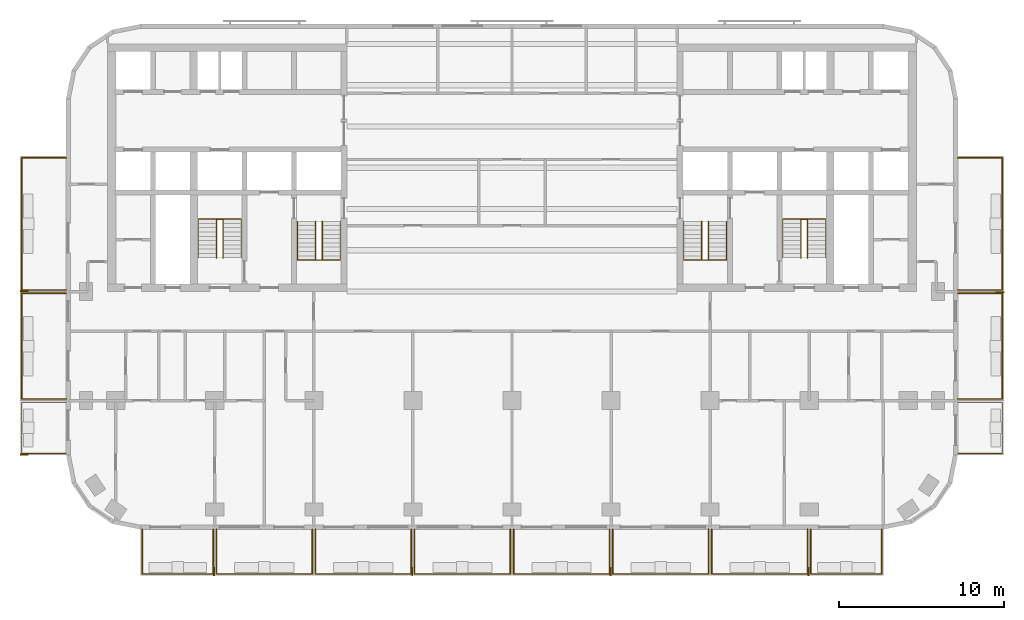
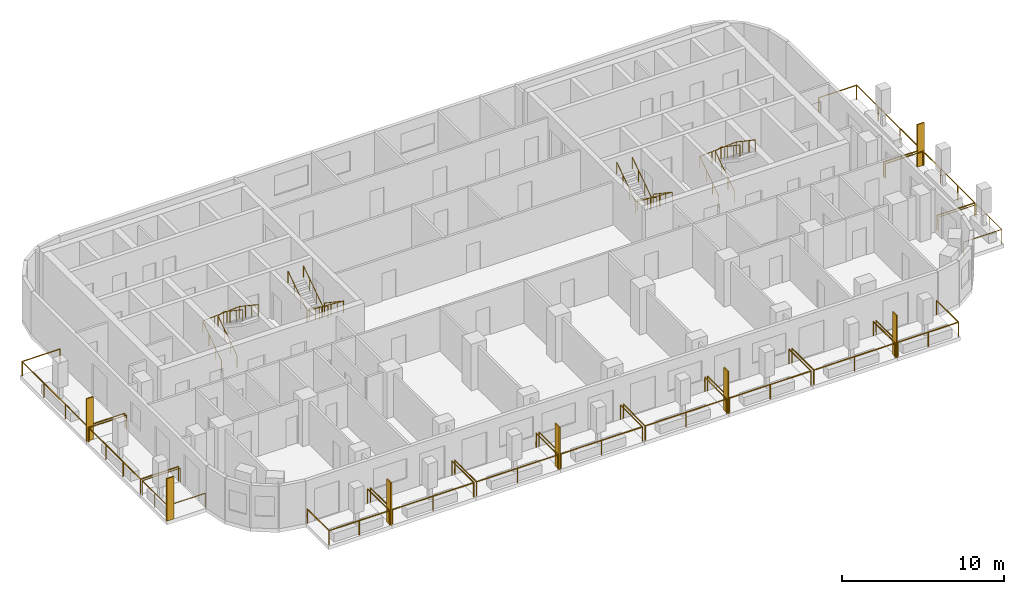
# One storey, part 9 of 11: 22 railings, 7 shading devices.
"""IFC4 building model written with IfcOpenShell, lengths in metres."""

from ifc_helpers import new_model, si_unit, direction, frame, origin, origin_2d, place, context, subcontext, project, spatial, rectangle, circle, extrude, material, layer, layer_set, type_object, element, save


model = new_model("IFC4")

# Units and contexts
model_context = context("Model", 3, precision=1e-05, world=origin(), true_north=direction((0.0, 1.0)))
body_context = subcontext(model_context, "Body", "Model", "MODEL_VIEW")
ifc_project = project(units=[si_unit("LENGTHUNIT", "METRE"), si_unit("AREAUNIT", "SQUARE_METRE"), si_unit("VOLUMEUNIT", "CUBIC_METRE"), si_unit("PLANEANGLEUNIT", "RADIAN"), si_unit("MASSUNIT", "GRAM", prefix="KILO")], contexts=[model_context])

# Site, building, storey
site_placement = place(None, origin())
site = spatial("IfcSite", under=ifc_project, at=site_placement, CompositionType="ELEMENT")
building_placement = place(site_placement, origin())
building = spatial("IfcBuilding", under=site, at=building_placement, Name="Torana Hotel and Residences", CompositionType="ELEMENT")
storey_placement = place(building_placement, frame((0.0, 0.0, 243.10009765625)))
storey = spatial("IfcBuildingStorey", under=building, at=storey_placement, Name="L64", CompositionType="ELEMENT", Elevation=243.10009765625)

# Shading devices
ifc_material_1 = material(Name="Black powder coated aluminium", Category="aluminium")
ifc_layer = layer(ifc_material_1, 0.080078125)
ifc_layer_set = layer_set([ifc_layer], Name="FN1 VERTICAL FIN 500x80")
shading_device_type = type_object("IfcShadingDeviceType", Name="FN1 VERTICAL FIN 500x80", PredefinedType="USERDEFINED", material=ifc_layer_set)
for number, where, z_axis, x_axis, name in (
    (1, (-18.0400390625, -31.949951171875, 0.0), (0.0, 0.0, 1.0), (-1.0, 0.0, 0.0), "Fin 01"),
    (2, (-6.0400390625, -31.949951171875, 0.0), (0.0, 0.0, 1.0), (-1.0, 0.0, 0.0), "Fin 03"),
    (3, (5.9599609375, -31.949951171875, 0.0), (0.0, 0.0, 1.0), (-1.0, 0.0, 0.0), "Fin 05"),
    (4, (17.9599609375, -31.949951171875, 0.0), (0.0, 0.0, 1.0), (-1.0, 0.0, 0.0), "Fin 07"),
    (5, (-29.550048828125, -24.860107421875, 0.0), (0.0, 0.0, 1.0), (0.0, 1.0, 0.0), "Fin 09"),
    (6, (-29.550048828125, -14.9599609375, 0.0), (0.0, 0.0, 1.0), (0.0, 1.0, 0.0), "Fin 11"),
    (7, (29.550048828125, -15.0400390625, 0.0), (0.0, 0.0, 1.0), (0.0, -1.0, 0.0), "Fin 13"),
):
    element("IfcShadingDevice", number, at=place(storey_placement, frame(where, z_axis=z_axis, x_axis=x_axis)), inside=storey, type_object=shading_device_type, Name=name, ObjectType="FIN", PredefinedType="USERDEFINED", context=body_context, shape_type="SweptSolid", body=[
        extrude(rectangle(XDim=0.080078125, YDim=0.5, at=origin_2d()), origin(), (0.0, 0.0, 1.0), 3.199951171875),
    ])

# Railings
ifc_material_2 = material(Name="Laminated glass balustrade with black handrail", Category="glass")
railing_type_1 = type_object("IfcRailingType", Name="GR1 BALCONY GUARD 1100 GLASS", PredefinedType="GUARDRAIL", material=ifc_material_2)
railing_1_placement = place(storey_placement, frame((-18.10009765625, -29.39990234375, 0.0)))
element("IfcRailing", 8, at=railing_1_placement, inside=storey, type_object=railing_type_1, Name="Balcony guard 01", PredefinedType="GUARDRAIL", context=body_context, shape_type="SweptSolid", body=[
    extrude(circle(Radius=0.02392578125, at=origin_2d()), frame((0.0, 0.0, 1.076171875), z_axis=(0.0, -1.0, 0.0), x_axis=(1.0, 0.0, 0.0)), (0.0, 0.0, 1.0), 2.7001953125),
    extrude(circle(Radius=0.02392578125, at=origin_2d()), frame((0.0, -2.7001953125, 1.076171875), z_axis=(-1.0, 0.0, 0.0), x_axis=(0.0, -1.0, 0.0)), (0.0, 0.0, 1.0), 4.2998046875),
    extrude(circle(Radius=0.02392578125, at=origin_2d()), frame((-4.2998046875, -2.7001953125, 1.076171875), z_axis=(0.0, 1.0, 0.0), x_axis=(-1.0, 0.0, 0.0)), (0.0, 0.0, 1.0), 2.7001953125),
    extrude(circle(Radius=0.02099609375, at=origin_2d()), origin(), (0.0, 0.0, 1.0), 1.052001953125),
    extrude(circle(Radius=0.02099609375, at=origin_2d()), frame((0.0, -2.7001953125, 0.0)), (0.0, 0.0, 1.0), 1.052001953125),
    extrude(circle(Radius=0.02099609375, at=origin_2d()), frame((-2.14990234375, -2.7001953125, 0.0)), (0.0, 0.0, 1.0), 1.052001953125),
    extrude(circle(Radius=0.02099609375, at=origin_2d()), frame((-4.2998046875, -2.7001953125, 0.0)), (0.0, 0.0, 1.0), 1.052001953125),
    extrude(circle(Radius=0.02099609375, at=origin_2d()), frame((-4.2998046875, 0.0, 0.0)), (0.0, 0.0, 1.0), 1.052001953125),
])
for number, where, name in (
    (9, (-12.10009765625, -29.39990234375, 0.0), "Balcony guard 02"),
    (10, (-6.10009765625, -29.39990234375, 0.0), "Balcony guard 03"),
    (11, (-0.10009765625, -29.39990234375, 0.0), "Balcony guard 04"),
    (12, (5.89990234375, -29.39990234375, 0.0), "Balcony guard 05"),
    (13, (11.89990234375, -29.39990234375, 0.0), "Balcony guard 06"),
    (14, (17.89990234375, -29.39990234375, 0.0), "Balcony guard 07"),
):
    element("IfcRailing", number, at=place(storey_placement, frame(where)), inside=storey, type_object=railing_type_1, Name=name, PredefinedType="GUARDRAIL", context=body_context, shape_type="SweptSolid", body=[
        extrude(circle(Radius=0.02392578125, at=origin_2d()), frame((0.0, 0.0, 1.076171875), z_axis=(0.0, -1.0, 0.0), x_axis=(1.0, 0.0, 0.0)), (0.0, 0.0, 1.0), 2.7001953125),
        extrude(circle(Radius=0.02392578125, at=origin_2d()), frame((0.0, -2.7001953125, 1.076171875), z_axis=(-1.0, 0.0, 0.0), x_axis=(0.0, -1.0, 0.0)), (0.0, 0.0, 1.0), 5.7998046875),
        extrude(circle(Radius=0.02392578125, at=origin_2d()), frame((-5.7998046875, -2.7001953125, 1.076171875), z_axis=(0.0, 1.0, 0.0), x_axis=(-1.0, 0.0, 0.0)), (0.0, 0.0, 1.0), 2.7001953125),
        extrude(circle(Radius=0.02099609375, at=origin_2d()), origin(), (0.0, 0.0, 1.0), 1.052001953125),
        extrude(circle(Radius=0.02099609375, at=origin_2d()), frame((0.0, -2.7001953125, 0.0)), (0.0, 0.0, 1.0), 1.052001953125),
        extrude(circle(Radius=0.02099609375, at=origin_2d()), frame((-2.89990234375, -2.7001953125, 0.0)), (0.0, 0.0, 1.0), 1.052001953125),
        extrude(circle(Radius=0.02099609375, at=origin_2d()), frame((-5.7998046875, -2.7001953125, 0.0)), (0.0, 0.0, 1.0), 1.052001953125),
        extrude(circle(Radius=0.02099609375, at=origin_2d()), frame((-5.7998046875, 0.0, 0.0)), (0.0, 0.0, 1.0), 1.052001953125),
    ])
railing_2_placement = place(storey_placement, frame((22.39990234375, -29.39990234375, 0.0)))
element("IfcRailing", 15, at=railing_2_placement, inside=storey, type_object=railing_type_1, Name="Balcony guard 08", PredefinedType="GUARDRAIL", context=body_context, shape_type="SweptSolid", body=[
    extrude(circle(Radius=0.02392578125, at=origin_2d()), frame((0.0, 0.0, 1.076171875), z_axis=(0.0, -1.0, 0.0), x_axis=(1.0, 0.0, 0.0)), (0.0, 0.0, 1.0), 2.7001953125),
    extrude(circle(Radius=0.02392578125, at=origin_2d()), frame((0.0, -2.7001953125, 1.076171875), z_axis=(-1.0, 0.0, 0.0), x_axis=(0.0, -1.0, 0.0)), (0.0, 0.0, 1.0), 4.2998046875),
    extrude(circle(Radius=0.02392578125, at=origin_2d()), frame((-4.2998046875, -2.7001953125, 1.076171875), z_axis=(0.0, 1.0, 0.0), x_axis=(-1.0, 0.0, 0.0)), (0.0, 0.0, 1.0), 2.7001953125),
    extrude(circle(Radius=0.02099609375, at=origin_2d()), origin(), (0.0, 0.0, 1.0), 1.052001953125),
    extrude(circle(Radius=0.02099609375, at=origin_2d()), frame((0.0, -2.7001953125, 0.0)), (0.0, 0.0, 1.0), 1.052001953125),
    extrude(circle(Radius=0.02099609375, at=origin_2d()), frame((-2.14990234375, -2.7001953125, 0.0)), (0.0, 0.0, 1.0), 1.052001953125),
    extrude(circle(Radius=0.02099609375, at=origin_2d()), frame((-4.2998046875, -2.7001953125, 0.0)), (0.0, 0.0, 1.0), 1.052001953125),
    extrude(circle(Radius=0.02099609375, at=origin_2d()), frame((-4.2998046875, 0.0, 0.0)), (0.0, 0.0, 1.0), 1.052001953125),
])
railing_3_placement = place(storey_placement, frame((-27.0, -24.800048828125, 0.0)))
element("IfcRailing", 16, at=railing_3_placement, inside=storey, type_object=railing_type_1, Name="Balcony guard 09", PredefinedType="GUARDRAIL", context=body_context, shape_type="SweptSolid", body=[
    extrude(circle(Radius=0.02392578125, at=origin_2d()), frame((0.0, 0.0, 1.076171875), z_axis=(-1.0, 0.0, 0.0), x_axis=(0.0, -1.0, 0.0)), (0.0, 0.0, 1.0), 2.699951171875),
    extrude(circle(Radius=0.02392578125, at=origin_2d()), frame((-2.699951171875, 0.0, 1.076171875), z_axis=(0.0, 1.0, 0.0), x_axis=(-1.0, 0.0, 0.0)), (0.0, 0.0, 1.0), 3.10009765625),
    extrude(circle(Radius=0.02392578125, at=origin_2d()), frame((-2.699951171875, 3.10009765625, 1.076171875), z_axis=(1.0, 0.0, 0.0), x_axis=(0.0, 1.0, 0.0)), (0.0, 0.0, 1.0), 2.699951171875),
    extrude(circle(Radius=0.02099609375, at=origin_2d()), origin(), (0.0, 0.0, 1.0), 1.052001953125),
    extrude(circle(Radius=0.02099609375, at=origin_2d()), frame((-2.699951171875, 0.0, 0.0)), (0.0, 0.0, 1.0), 1.052001953125),
    extrude(circle(Radius=0.02099609375, at=origin_2d()), frame((-2.699951171875, 1.550048828125, 0.0)), (0.0, 0.0, 1.0), 1.052001953125),
    extrude(circle(Radius=0.02099609375, at=origin_2d()), frame((-2.699951171875, 3.10009765625, 0.0)), (0.0, 0.0, 1.0), 1.052001953125),
    extrude(circle(Radius=0.02099609375, at=origin_2d()), frame((0.0, 3.10009765625, 0.0)), (0.0, 0.0, 1.0), 1.052001953125),
])
railing_4_placement = place(storey_placement, frame((-27.0, -21.5, 0.0)))
element("IfcRailing", 17, at=railing_4_placement, inside=storey, type_object=railing_type_1, Name="Balcony guard 10", PredefinedType="GUARDRAIL", context=body_context, shape_type="SweptSolid", body=[
    extrude(circle(Radius=0.02392578125, at=origin_2d()), frame((0.0, 0.0, 1.076171875), z_axis=(-1.0, 0.0, 0.0), x_axis=(0.0, -1.0, 0.0)), (0.0, 0.0, 1.0), 2.699951171875),
    extrude(circle(Radius=0.02392578125, at=origin_2d()), frame((-2.699951171875, 0.0, 1.076171875), z_axis=(0.0, 1.0, 0.0), x_axis=(-1.0, 0.0, 0.0)), (0.0, 0.0, 1.0), 6.39990234375),
    extrude(circle(Radius=0.02392578125, at=origin_2d()), frame((-2.699951171875, 6.39990234375, 1.076171875), z_axis=(1.0, 0.0, 0.0), x_axis=(0.0, 1.0, 0.0)), (0.0, 0.0, 1.0), 2.699951171875),
    extrude(circle(Radius=0.02099609375, at=origin_2d()), origin(), (0.0, 0.0, 1.0), 1.052001953125),
    extrude(circle(Radius=0.02099609375, at=origin_2d()), frame((-2.699951171875, 0.0, 0.0)), (0.0, 0.0, 1.0), 1.052001953125),
    extrude(circle(Radius=0.02099609375, at=origin_2d()), frame((-2.699951171875, 2.13330078125, 0.0)), (0.0, 0.0, 1.0), 1.052001953125),
    extrude(circle(Radius=0.02099609375, at=origin_2d()), frame((-2.699951171875, 4.2666015625, 0.0)), (0.0, 0.0, 1.0), 1.052001953125),
    extrude(circle(Radius=0.02099609375, at=origin_2d()), frame((-2.699951171875, 6.39990234375, 0.0)), (0.0, 0.0, 1.0), 1.052001953125),
    extrude(circle(Radius=0.02099609375, at=origin_2d()), frame((0.0, 6.39990234375, 0.0)), (0.0, 0.0, 1.0), 1.052001953125),
])
railing_5_placement = place(storey_placement, frame((-27.0, -14.89990234375, 0.0)))
element("IfcRailing", 18, at=railing_5_placement, inside=storey, type_object=railing_type_1, Name="Balcony guard 11", PredefinedType="GUARDRAIL", context=body_context, shape_type="SweptSolid", body=[
    extrude(circle(Radius=0.02392578125, at=origin_2d()), frame((0.0, 0.0, 1.076171875), z_axis=(-1.0, 0.0, 0.0), x_axis=(0.0, -1.0, 0.0)), (0.0, 0.0, 1.0), 2.699951171875),
    extrude(circle(Radius=0.02392578125, at=origin_2d()), frame((-2.699951171875, 0.0, 1.076171875), z_axis=(0.0, 1.0, 0.0), x_axis=(-1.0, 0.0, 0.0)), (0.0, 0.0, 1.0), 8.0),
    extrude(circle(Radius=0.02392578125, at=origin_2d()), frame((-2.699951171875, 8.0, 1.076171875), z_axis=(1.0, 0.0, 0.0), x_axis=(0.0, 1.0, 0.0)), (0.0, 0.0, 1.0), 2.699951171875),
    extrude(circle(Radius=0.02099609375, at=origin_2d()), origin(), (0.0, 0.0, 1.0), 1.052001953125),
    extrude(circle(Radius=0.02099609375, at=origin_2d()), frame((-2.699951171875, 0.0, 0.0)), (0.0, 0.0, 1.0), 1.052001953125),
    extrude(circle(Radius=0.02099609375, at=origin_2d()), frame((-2.699951171875, 2.666748046875, 0.0)), (0.0, 0.0, 1.0), 1.052001953125),
    extrude(circle(Radius=0.02099609375, at=origin_2d()), frame((-2.699951171875, 5.333251953125, 0.0)), (0.0, 0.0, 1.0), 1.052001953125),
    extrude(circle(Radius=0.02099609375, at=origin_2d()), frame((-2.699951171875, 8.0, 0.0)), (0.0, 0.0, 1.0), 1.052001953125),
    extrude(circle(Radius=0.02099609375, at=origin_2d()), frame((0.0, 8.0, 0.0)), (0.0, 0.0, 1.0), 1.052001953125),
])
railing_6_placement = place(storey_placement, frame((27.0, -21.699951171875, 0.0)))
element("IfcRailing", 19, at=railing_6_placement, inside=storey, type_object=railing_type_1, Name="Balcony guard 12", PredefinedType="GUARDRAIL", context=body_context, shape_type="SweptSolid", body=[
    extrude(circle(Radius=0.02392578125, at=origin_2d()), frame((0.0, 0.0, 1.076171875), z_axis=(1.0, 0.0, 0.0), x_axis=(0.0, 1.0, 0.0)), (0.0, 0.0, 1.0), 2.699951171875),
    extrude(circle(Radius=0.02392578125, at=origin_2d()), frame((2.699951171875, 0.0, 1.076171875), z_axis=(0.0, -1.0, 0.0), x_axis=(1.0, 0.0, 0.0)), (0.0, 0.0, 1.0), 3.10009765625),
    extrude(circle(Radius=0.02392578125, at=origin_2d()), frame((2.699951171875, -3.10009765625, 1.076171875), z_axis=(-1.0, 0.0, 0.0), x_axis=(0.0, -1.0, 0.0)), (0.0, 0.0, 1.0), 2.699951171875),
    extrude(circle(Radius=0.02099609375, at=origin_2d()), origin(), (0.0, 0.0, 1.0), 1.052001953125),
    extrude(circle(Radius=0.02099609375, at=origin_2d()), frame((2.699951171875, 0.0, 0.0)), (0.0, 0.0, 1.0), 1.052001953125),
    extrude(circle(Radius=0.02099609375, at=origin_2d()), frame((2.699951171875, -1.550048828125, 0.0)), (0.0, 0.0, 1.0), 1.052001953125),
    extrude(circle(Radius=0.02099609375, at=origin_2d()), frame((2.699951171875, -3.10009765625, 0.0)), (0.0, 0.0, 1.0), 1.052001953125),
    extrude(circle(Radius=0.02099609375, at=origin_2d()), frame((0.0, -3.10009765625, 0.0)), (0.0, 0.0, 1.0), 1.052001953125),
])
railing_7_placement = place(storey_placement, frame((27.0, -15.10009765625, 0.0)))
element("IfcRailing", 20, at=railing_7_placement, inside=storey, type_object=railing_type_1, Name="Balcony guard 13", PredefinedType="GUARDRAIL", context=body_context, shape_type="SweptSolid", body=[
    extrude(circle(Radius=0.02392578125, at=origin_2d()), frame((0.0, 0.0, 1.076171875), z_axis=(1.0, 0.0, 0.0), x_axis=(0.0, 1.0, 0.0)), (0.0, 0.0, 1.0), 2.699951171875),
    extrude(circle(Radius=0.02392578125, at=origin_2d()), frame((2.699951171875, 0.0, 1.076171875), z_axis=(0.0, -1.0, 0.0), x_axis=(1.0, 0.0, 0.0)), (0.0, 0.0, 1.0), 6.39990234375),
    extrude(circle(Radius=0.02392578125, at=origin_2d()), frame((2.699951171875, -6.39990234375, 1.076171875), z_axis=(-1.0, 0.0, 0.0), x_axis=(0.0, -1.0, 0.0)), (0.0, 0.0, 1.0), 2.699951171875),
    extrude(circle(Radius=0.02099609375, at=origin_2d()), origin(), (0.0, 0.0, 1.0), 1.052001953125),
    extrude(circle(Radius=0.02099609375, at=origin_2d()), frame((2.699951171875, 0.0, 0.0)), (0.0, 0.0, 1.0), 1.052001953125),
    extrude(circle(Radius=0.02099609375, at=origin_2d()), frame((2.699951171875, -2.13330078125, 0.0)), (0.0, 0.0, 1.0), 1.052001953125),
    extrude(circle(Radius=0.02099609375, at=origin_2d()), frame((2.699951171875, -4.2666015625, 0.0)), (0.0, 0.0, 1.0), 1.052001953125),
    extrude(circle(Radius=0.02099609375, at=origin_2d()), frame((2.699951171875, -6.39990234375, 0.0)), (0.0, 0.0, 1.0), 1.052001953125),
    extrude(circle(Radius=0.02099609375, at=origin_2d()), frame((0.0, -6.39990234375, 0.0)), (0.0, 0.0, 1.0), 1.052001953125),
])
railing_8_placement = place(storey_placement, frame((27.0, -6.89990234375, 0.0)))
element("IfcRailing", 21, at=railing_8_placement, inside=storey, type_object=railing_type_1, Name="Balcony guard 14", PredefinedType="GUARDRAIL", context=body_context, shape_type="SweptSolid", body=[
    extrude(circle(Radius=0.02392578125, at=origin_2d()), frame((0.0, 0.0, 1.076171875), z_axis=(1.0, 0.0, 0.0), x_axis=(0.0, 1.0, 0.0)), (0.0, 0.0, 1.0), 2.699951171875),
    extrude(circle(Radius=0.02392578125, at=origin_2d()), frame((2.699951171875, 0.0, 1.076171875), z_axis=(0.0, -1.0, 0.0), x_axis=(1.0, 0.0, 0.0)), (0.0, 0.0, 1.0), 8.0),
    extrude(circle(Radius=0.02392578125, at=origin_2d()), frame((2.699951171875, -8.0, 1.076171875), z_axis=(-1.0, 0.0, 0.0), x_axis=(0.0, -1.0, 0.0)), (0.0, 0.0, 1.0), 2.699951171875),
    extrude(circle(Radius=0.02099609375, at=origin_2d()), origin(), (0.0, 0.0, 1.0), 1.052001953125),
    extrude(circle(Radius=0.02099609375, at=origin_2d()), frame((2.699951171875, 0.0, 0.0)), (0.0, 0.0, 1.0), 1.052001953125),
    extrude(circle(Radius=0.02099609375, at=origin_2d()), frame((2.699951171875, -2.666748046875, 0.0)), (0.0, 0.0, 1.0), 1.052001953125),
    extrude(circle(Radius=0.02099609375, at=origin_2d()), frame((2.699951171875, -5.333251953125, 0.0)), (0.0, 0.0, 1.0), 1.052001953125),
    extrude(circle(Radius=0.02099609375, at=origin_2d()), frame((2.699951171875, -8.0, 0.0)), (0.0, 0.0, 1.0), 1.052001953125),
    extrude(circle(Radius=0.02099609375, at=origin_2d()), frame((0.0, -8.0, 0.0)), (0.0, 0.0, 1.0), 1.052001953125),
])
ifc_material_3 = material(Name="Stainless steel 316", Category="steel")
railing_type_2 = type_object("IfcRailingType", Name="STAIR HANDRAIL HR1 900", PredefinedType="HANDRAIL", material=ifc_material_3)
railing_9_placement = place(storey_placement, frame((-10.39990234375, -10.75, 0.1748046875)))
element("IfcRailing", 22, at=railing_9_placement, inside=storey, type_object=railing_type_2, Name="Handrail ST1 L64 O1", PredefinedType="HANDRAIL", context=body_context, shape_type="SweptSolid", body=[
    extrude(circle(Radius=0.02392578125, at=origin_2d()), frame((0.0, 0.0, 0.8759765625), z_axis=(0.0, -0.829565388462, 0.558409586474), x_axis=(1.0, 0.0, 0.0)), (0.0, 0.0, 1.0), 2.82080078125),
    extrude(circle(Radius=0.02392578125, at=origin_2d()), frame((0.0, -2.340087890625, 2.451171875), z_axis=(-0.997747692642, 0.0, 0.067078624219), x_axis=(0.0, -1.0, 0.0)), (0.0, 0.0, 1.0), 2.60595703125),
    extrude(circle(Radius=0.02392578125, at=origin_2d()), frame((-2.60009765625, -2.340087890625, 2.6259765625), z_axis=(0.0, 0.829565388462, 0.558409586474), x_axis=(-1.0, 0.0, 0.0)), (0.0, 0.0, 1.0), 2.82080078125),
    extrude(circle(Radius=0.02099609375, at=origin_2d()), origin(), (0.0, 0.0, 1.0), 0.851806640625),
    extrude(circle(Radius=0.02099609375, at=origin_2d()), frame((0.0, -0.780029296875, 0.525146484375)), (0.0, 0.0, 1.0), 0.851806640625),
    extrude(circle(Radius=0.02099609375, at=origin_2d()), frame((0.0, -1.56005859375, 1.050048828125)), (0.0, 0.0, 1.0), 0.851806640625),
    extrude(circle(Radius=0.02099609375, at=origin_2d()), frame((0.0, -2.340087890625, 1.5751953125)), (0.0, 0.0, 1.0), 0.851806640625),
    extrude(circle(Radius=0.02099609375, at=origin_2d()), frame((-0.86669921875, -2.340087890625, 1.633544921875)), (0.0, 0.0, 1.0), 0.851806640625),
    extrude(circle(Radius=0.02099609375, at=origin_2d()), frame((-1.7333984375, -2.340087890625, 1.691650390625)), (0.0, 0.0, 1.0), 0.851806640625),
    extrude(circle(Radius=0.02099609375, at=origin_2d()), frame((-2.60009765625, -2.340087890625, 1.75)), (0.0, 0.0, 1.0), 0.851806640625),
    extrude(circle(Radius=0.02099609375, at=origin_2d()), frame((-2.60009765625, -1.56005859375, 2.275146484375)), (0.0, 0.0, 1.0), 0.851806640625),
    extrude(circle(Radius=0.02099609375, at=origin_2d()), frame((-2.60009765625, -0.780029296875, 2.800048828125)), (0.0, 0.0, 1.0), 0.851806640625),
    extrude(circle(Radius=0.02099609375, at=origin_2d()), frame((-2.60009765625, 0.0, 3.3251953125)), (0.0, 0.0, 1.0), 0.851806640625),
])
railing_10_placement = place(storey_placement, frame((-11.5, -10.75, 0.1748046875)))
element("IfcRailing", 23, at=railing_10_placement, inside=storey, type_object=railing_type_2, Name="Handrail ST1 L64 I1", PredefinedType="HANDRAIL", context=body_context, shape_type="SweptSolid", body=[
    extrude(circle(Radius=0.02392578125, at=origin_2d()), frame((0.0, 0.0, 0.8759765625), z_axis=(0.0, -0.829565388462, 0.558409586474), x_axis=(1.0, 0.0, 0.0)), (0.0, 0.0, 1.0), 2.82080078125),
    extrude(circle(Radius=0.02392578125, at=origin_2d()), frame((0.0, -2.340087890625, 2.451171875), z_axis=(-0.916285673175, 0.0, 0.400525361412), x_axis=(0.0, -1.0, 0.0)), (0.0, 0.0, 1.0), 0.4365234375),
    extrude(circle(Radius=0.02392578125, at=origin_2d()), frame((-0.39990234375, -2.340087890625, 2.6259765625), z_axis=(0.0, 0.829565388462, 0.558409586474), x_axis=(-1.0, 0.0, 0.0)), (0.0, 0.0, 1.0), 2.82080078125),
    extrude(circle(Radius=0.02099609375, at=origin_2d()), origin(), (0.0, 0.0, 1.0), 0.851806640625),
    extrude(circle(Radius=0.02099609375, at=origin_2d()), frame((0.0, -0.780029296875, 0.525146484375)), (0.0, 0.0, 1.0), 0.851806640625),
    extrude(circle(Radius=0.02099609375, at=origin_2d()), frame((0.0, -1.56005859375, 1.050048828125)), (0.0, 0.0, 1.0), 0.851806640625),
    extrude(circle(Radius=0.02099609375, at=origin_2d()), frame((0.0, -2.340087890625, 1.5751953125)), (0.0, 0.0, 1.0), 0.851806640625),
    extrude(circle(Radius=0.02099609375, at=origin_2d()), frame((-0.39990234375, -2.340087890625, 1.75)), (0.0, 0.0, 1.0), 0.851806640625),
    extrude(circle(Radius=0.02099609375, at=origin_2d()), frame((-0.39990234375, -1.56005859375, 2.275146484375)), (0.0, 0.0, 1.0), 0.851806640625),
    extrude(circle(Radius=0.02099609375, at=origin_2d()), frame((-0.39990234375, -0.780029296875, 2.800048828125)), (0.0, 0.0, 1.0), 0.851806640625),
    extrude(circle(Radius=0.02099609375, at=origin_2d()), frame((-0.39990234375, 0.0, 3.3251953125)), (0.0, 0.0, 1.0), 0.851806640625),
])
railing_11_placement = place(storey_placement, frame((-19.0, -12.949951171875, 0.1748046875)))
element("IfcRailing", 24, at=railing_11_placement, inside=storey, type_object=railing_type_2, Name="Handrail ST2 L64 O1", PredefinedType="HANDRAIL", context=body_context, shape_type="SweptSolid", body=[
    extrude(circle(Radius=0.02392578125, at=origin_2d()), frame((0.0, 0.0, 0.8759765625), z_axis=(0.0, 0.829538397957, 0.558449681095), x_axis=(-1.0, 0.0, 0.0)), (0.0, 0.0, 1.0), 2.820556640625),
    extrude(circle(Radius=0.02392578125, at=origin_2d()), frame((0.0, 2.33984375, 2.451171875), z_axis=(0.997747692642, 0.0, 0.067078624219), x_axis=(0.0, 1.0, 0.0)), (0.0, 0.0, 1.0), 2.60595703125),
    extrude(circle(Radius=0.02392578125, at=origin_2d()), frame((2.60009765625, 2.33984375, 2.6259765625), z_axis=(0.0, -0.829538397957, 0.558449681095), x_axis=(1.0, 0.0, 0.0)), (0.0, 0.0, 1.0), 2.820556640625),
    extrude(circle(Radius=0.02099609375, at=origin_2d()), origin(), (0.0, 0.0, 1.0), 0.851806640625),
    extrude(circle(Radius=0.02099609375, at=origin_2d()), frame((0.0, 0.780029296875, 0.525146484375)), (0.0, 0.0, 1.0), 0.851806640625),
    extrude(circle(Radius=0.02099609375, at=origin_2d()), frame((0.0, 1.559814453125, 1.050048828125)), (0.0, 0.0, 1.0), 0.851806640625),
    extrude(circle(Radius=0.02099609375, at=origin_2d()), frame((0.0, 2.33984375, 1.5751953125)), (0.0, 0.0, 1.0), 0.851806640625),
    extrude(circle(Radius=0.02099609375, at=origin_2d()), frame((0.86669921875, 2.33984375, 1.633544921875)), (0.0, 0.0, 1.0), 0.851806640625),
    extrude(circle(Radius=0.02099609375, at=origin_2d()), frame((1.7333984375, 2.33984375, 1.691650390625)), (0.0, 0.0, 1.0), 0.851806640625),
    extrude(circle(Radius=0.02099609375, at=origin_2d()), frame((2.60009765625, 2.33984375, 1.75)), (0.0, 0.0, 1.0), 0.851806640625),
    extrude(circle(Radius=0.02099609375, at=origin_2d()), frame((2.60009765625, 1.559814453125, 2.275146484375)), (0.0, 0.0, 1.0), 0.851806640625),
    extrude(circle(Radius=0.02099609375, at=origin_2d()), frame((2.60009765625, 0.780029296875, 2.800048828125)), (0.0, 0.0, 1.0), 0.851806640625),
    extrude(circle(Radius=0.02099609375, at=origin_2d()), frame((2.60009765625, 0.0, 3.3251953125)), (0.0, 0.0, 1.0), 0.851806640625),
])
railing_12_placement = place(storey_placement, frame((-17.89990234375, -12.949951171875, 0.1748046875)))
element("IfcRailing", 25, at=railing_12_placement, inside=storey, type_object=railing_type_2, Name="Handrail ST2 L64 I1", PredefinedType="HANDRAIL", context=body_context, shape_type="SweptSolid", body=[
    extrude(circle(Radius=0.02392578125, at=origin_2d()), frame((0.0, 0.0, 0.8759765625), z_axis=(0.0, 0.829538397957, 0.558449681095), x_axis=(-1.0, 0.0, 0.0)), (0.0, 0.0, 1.0), 2.820556640625),
    extrude(circle(Radius=0.02392578125, at=origin_2d()), frame((0.0, 2.33984375, 2.451171875), z_axis=(0.916285673175, 0.0, 0.400525361412), x_axis=(0.0, 1.0, 0.0)), (0.0, 0.0, 1.0), 0.4365234375),
    extrude(circle(Radius=0.02392578125, at=origin_2d()), frame((0.39990234375, 2.33984375, 2.6259765625), z_axis=(0.0, -0.829538397957, 0.558449681095), x_axis=(1.0, 0.0, 0.0)), (0.0, 0.0, 1.0), 2.820556640625),
    extrude(circle(Radius=0.02099609375, at=origin_2d()), origin(), (0.0, 0.0, 1.0), 0.851806640625),
    extrude(circle(Radius=0.02099609375, at=origin_2d()), frame((0.0, 0.780029296875, 0.525146484375)), (0.0, 0.0, 1.0), 0.851806640625),
    extrude(circle(Radius=0.02099609375, at=origin_2d()), frame((0.0, 1.559814453125, 1.050048828125)), (0.0, 0.0, 1.0), 0.851806640625),
    extrude(circle(Radius=0.02099609375, at=origin_2d()), frame((0.0, 2.33984375, 1.5751953125)), (0.0, 0.0, 1.0), 0.851806640625),
    extrude(circle(Radius=0.02099609375, at=origin_2d()), frame((0.39990234375, 2.33984375, 1.75)), (0.0, 0.0, 1.0), 0.851806640625),
    extrude(circle(Radius=0.02099609375, at=origin_2d()), frame((0.39990234375, 1.559814453125, 2.275146484375)), (0.0, 0.0, 1.0), 0.851806640625),
    extrude(circle(Radius=0.02099609375, at=origin_2d()), frame((0.39990234375, 0.780029296875, 2.800048828125)), (0.0, 0.0, 1.0), 0.851806640625),
    extrude(circle(Radius=0.02099609375, at=origin_2d()), frame((0.39990234375, 0.0, 3.3251953125)), (0.0, 0.0, 1.0), 0.851806640625),
])
railing_13_placement = place(storey_placement, frame((13.0, -10.75, 0.1748046875)))
element("IfcRailing", 26, at=railing_13_placement, inside=storey, type_object=railing_type_2, Name="Handrail ST3 L64 O1", PredefinedType="HANDRAIL", context=body_context, shape_type="SweptSolid", body=[
    extrude(circle(Radius=0.02392578125, at=origin_2d()), frame((0.0, 0.0, 0.8759765625), z_axis=(0.0, -0.829565388462, 0.558409586474), x_axis=(1.0, 0.0, 0.0)), (0.0, 0.0, 1.0), 2.82080078125),
    extrude(circle(Radius=0.02392578125, at=origin_2d()), frame((0.0, -2.340087890625, 2.451171875), z_axis=(-0.997747692642, 0.0, 0.067078624219), x_axis=(0.0, -1.0, 0.0)), (0.0, 0.0, 1.0), 2.60595703125),
    extrude(circle(Radius=0.02392578125, at=origin_2d()), frame((-2.60009765625, -2.340087890625, 2.6259765625), z_axis=(0.0, 0.829565388462, 0.558409586474), x_axis=(-1.0, 0.0, 0.0)), (0.0, 0.0, 1.0), 2.82080078125),
    extrude(circle(Radius=0.02099609375, at=origin_2d()), origin(), (0.0, 0.0, 1.0), 0.851806640625),
    extrude(circle(Radius=0.02099609375, at=origin_2d()), frame((0.0, -0.780029296875, 0.525146484375)), (0.0, 0.0, 1.0), 0.851806640625),
    extrude(circle(Radius=0.02099609375, at=origin_2d()), frame((0.0, -1.56005859375, 1.050048828125)), (0.0, 0.0, 1.0), 0.851806640625),
    extrude(circle(Radius=0.02099609375, at=origin_2d()), frame((0.0, -2.340087890625, 1.5751953125)), (0.0, 0.0, 1.0), 0.851806640625),
    extrude(circle(Radius=0.02099609375, at=origin_2d()), frame((-0.86669921875, -2.340087890625, 1.633544921875)), (0.0, 0.0, 1.0), 0.851806640625),
    extrude(circle(Radius=0.02099609375, at=origin_2d()), frame((-1.7333984375, -2.340087890625, 1.691650390625)), (0.0, 0.0, 1.0), 0.851806640625),
    extrude(circle(Radius=0.02099609375, at=origin_2d()), frame((-2.60009765625, -2.340087890625, 1.75)), (0.0, 0.0, 1.0), 0.851806640625),
    extrude(circle(Radius=0.02099609375, at=origin_2d()), frame((-2.60009765625, -1.56005859375, 2.275146484375)), (0.0, 0.0, 1.0), 0.851806640625),
    extrude(circle(Radius=0.02099609375, at=origin_2d()), frame((-2.60009765625, -0.780029296875, 2.800048828125)), (0.0, 0.0, 1.0), 0.851806640625),
    extrude(circle(Radius=0.02099609375, at=origin_2d()), frame((-2.60009765625, 0.0, 3.3251953125)), (0.0, 0.0, 1.0), 0.851806640625),
])
railing_14_placement = place(storey_placement, frame((11.89990234375, -10.75, 0.1748046875)))
element("IfcRailing", 27, at=railing_14_placement, inside=storey, type_object=railing_type_2, Name="Handrail ST3 L64 I1", PredefinedType="HANDRAIL", context=body_context, shape_type="SweptSolid", body=[
    extrude(circle(Radius=0.02392578125, at=origin_2d()), frame((0.0, 0.0, 0.8759765625), z_axis=(0.0, -0.829565388462, 0.558409586474), x_axis=(1.0, 0.0, 0.0)), (0.0, 0.0, 1.0), 2.82080078125),
    extrude(circle(Radius=0.02392578125, at=origin_2d()), frame((0.0, -2.340087890625, 2.451171875), z_axis=(-0.916285673175, 0.0, 0.400525361412), x_axis=(0.0, -1.0, 0.0)), (0.0, 0.0, 1.0), 0.4365234375),
    extrude(circle(Radius=0.02392578125, at=origin_2d()), frame((-0.39990234375, -2.340087890625, 2.6259765625), z_axis=(0.0, 0.829565388462, 0.558409586474), x_axis=(-1.0, 0.0, 0.0)), (0.0, 0.0, 1.0), 2.82080078125),
    extrude(circle(Radius=0.02099609375, at=origin_2d()), origin(), (0.0, 0.0, 1.0), 0.851806640625),
    extrude(circle(Radius=0.02099609375, at=origin_2d()), frame((0.0, -0.780029296875, 0.525146484375)), (0.0, 0.0, 1.0), 0.851806640625),
    extrude(circle(Radius=0.02099609375, at=origin_2d()), frame((0.0, -1.56005859375, 1.050048828125)), (0.0, 0.0, 1.0), 0.851806640625),
    extrude(circle(Radius=0.02099609375, at=origin_2d()), frame((0.0, -2.340087890625, 1.5751953125)), (0.0, 0.0, 1.0), 0.851806640625),
    extrude(circle(Radius=0.02099609375, at=origin_2d()), frame((-0.39990234375, -2.340087890625, 1.75)), (0.0, 0.0, 1.0), 0.851806640625),
    extrude(circle(Radius=0.02099609375, at=origin_2d()), frame((-0.39990234375, -1.56005859375, 2.275146484375)), (0.0, 0.0, 1.0), 0.851806640625),
    extrude(circle(Radius=0.02099609375, at=origin_2d()), frame((-0.39990234375, -0.780029296875, 2.800048828125)), (0.0, 0.0, 1.0), 0.851806640625),
    extrude(circle(Radius=0.02099609375, at=origin_2d()), frame((-0.39990234375, 0.0, 3.3251953125)), (0.0, 0.0, 1.0), 0.851806640625),
])
railing_15_placement = place(storey_placement, frame((16.39990234375, -12.949951171875, 0.1748046875)))
element("IfcRailing", 28, at=railing_15_placement, inside=storey, type_object=railing_type_2, Name="Handrail ST4 L64 O1", PredefinedType="HANDRAIL", context=body_context, shape_type="SweptSolid", body=[
    extrude(circle(Radius=0.02392578125, at=origin_2d()), frame((0.0, 0.0, 0.8759765625), z_axis=(0.0, 0.829538397957, 0.558449681095), x_axis=(-1.0, 0.0, 0.0)), (0.0, 0.0, 1.0), 2.820556640625),
    extrude(circle(Radius=0.02392578125, at=origin_2d()), frame((0.0, 2.33984375, 2.451171875), z_axis=(0.997747692642, 0.0, 0.067078624219), x_axis=(0.0, 1.0, 0.0)), (0.0, 0.0, 1.0), 2.60595703125),
    extrude(circle(Radius=0.02392578125, at=origin_2d()), frame((2.60009765625, 2.33984375, 2.6259765625), z_axis=(0.0, -0.829538397957, 0.558449681095), x_axis=(1.0, 0.0, 0.0)), (0.0, 0.0, 1.0), 2.820556640625),
    extrude(circle(Radius=0.02099609375, at=origin_2d()), origin(), (0.0, 0.0, 1.0), 0.851806640625),
    extrude(circle(Radius=0.02099609375, at=origin_2d()), frame((0.0, 0.780029296875, 0.525146484375)), (0.0, 0.0, 1.0), 0.851806640625),
    extrude(circle(Radius=0.02099609375, at=origin_2d()), frame((0.0, 1.559814453125, 1.050048828125)), (0.0, 0.0, 1.0), 0.851806640625),
    extrude(circle(Radius=0.02099609375, at=origin_2d()), frame((0.0, 2.33984375, 1.5751953125)), (0.0, 0.0, 1.0), 0.851806640625),
    extrude(circle(Radius=0.02099609375, at=origin_2d()), frame((0.86669921875, 2.33984375, 1.633544921875)), (0.0, 0.0, 1.0), 0.851806640625),
    extrude(circle(Radius=0.02099609375, at=origin_2d()), frame((1.7333984375, 2.33984375, 1.691650390625)), (0.0, 0.0, 1.0), 0.851806640625),
    extrude(circle(Radius=0.02099609375, at=origin_2d()), frame((2.60009765625, 2.33984375, 1.75)), (0.0, 0.0, 1.0), 0.851806640625),
    extrude(circle(Radius=0.02099609375, at=origin_2d()), frame((2.60009765625, 1.559814453125, 2.275146484375)), (0.0, 0.0, 1.0), 0.851806640625),
    extrude(circle(Radius=0.02099609375, at=origin_2d()), frame((2.60009765625, 0.780029296875, 2.800048828125)), (0.0, 0.0, 1.0), 0.851806640625),
    extrude(circle(Radius=0.02099609375, at=origin_2d()), frame((2.60009765625, 0.0, 3.3251953125)), (0.0, 0.0, 1.0), 0.851806640625),
])
railing_16_placement = place(storey_placement, frame((17.5, -12.949951171875, 0.1748046875)))
element("IfcRailing", 29, at=railing_16_placement, inside=storey, type_object=railing_type_2, Name="Handrail ST4 L64 I1", PredefinedType="HANDRAIL", context=body_context, shape_type="SweptSolid", body=[
    extrude(circle(Radius=0.02392578125, at=origin_2d()), frame((0.0, 0.0, 0.8759765625), z_axis=(0.0, 0.829538397957, 0.558449681095), x_axis=(-1.0, 0.0, 0.0)), (0.0, 0.0, 1.0), 2.820556640625),
    extrude(circle(Radius=0.02392578125, at=origin_2d()), frame((0.0, 2.33984375, 2.451171875), z_axis=(0.916285673175, 0.0, 0.400525361412), x_axis=(0.0, 1.0, 0.0)), (0.0, 0.0, 1.0), 0.4365234375),
    extrude(circle(Radius=0.02392578125, at=origin_2d()), frame((0.39990234375, 2.33984375, 2.6259765625), z_axis=(0.0, -0.829538397957, 0.558449681095), x_axis=(1.0, 0.0, 0.0)), (0.0, 0.0, 1.0), 2.820556640625),
    extrude(circle(Radius=0.02099609375, at=origin_2d()), origin(), (0.0, 0.0, 1.0), 0.851806640625),
    extrude(circle(Radius=0.02099609375, at=origin_2d()), frame((0.0, 0.780029296875, 0.525146484375)), (0.0, 0.0, 1.0), 0.851806640625),
    extrude(circle(Radius=0.02099609375, at=origin_2d()), frame((0.0, 1.559814453125, 1.050048828125)), (0.0, 0.0, 1.0), 0.851806640625),
    extrude(circle(Radius=0.02099609375, at=origin_2d()), frame((0.0, 2.33984375, 1.5751953125)), (0.0, 0.0, 1.0), 0.851806640625),
    extrude(circle(Radius=0.02099609375, at=origin_2d()), frame((0.39990234375, 2.33984375, 1.75)), (0.0, 0.0, 1.0), 0.851806640625),
    extrude(circle(Radius=0.02099609375, at=origin_2d()), frame((0.39990234375, 1.559814453125, 2.275146484375)), (0.0, 0.0, 1.0), 0.851806640625),
    extrude(circle(Radius=0.02099609375, at=origin_2d()), frame((0.39990234375, 0.780029296875, 2.800048828125)), (0.0, 0.0, 1.0), 0.851806640625),
    extrude(circle(Radius=0.02099609375, at=origin_2d()), frame((0.39990234375, 0.0, 3.3251953125)), (0.0, 0.0, 1.0), 0.851806640625),
])

save(model, "model.ifc")
